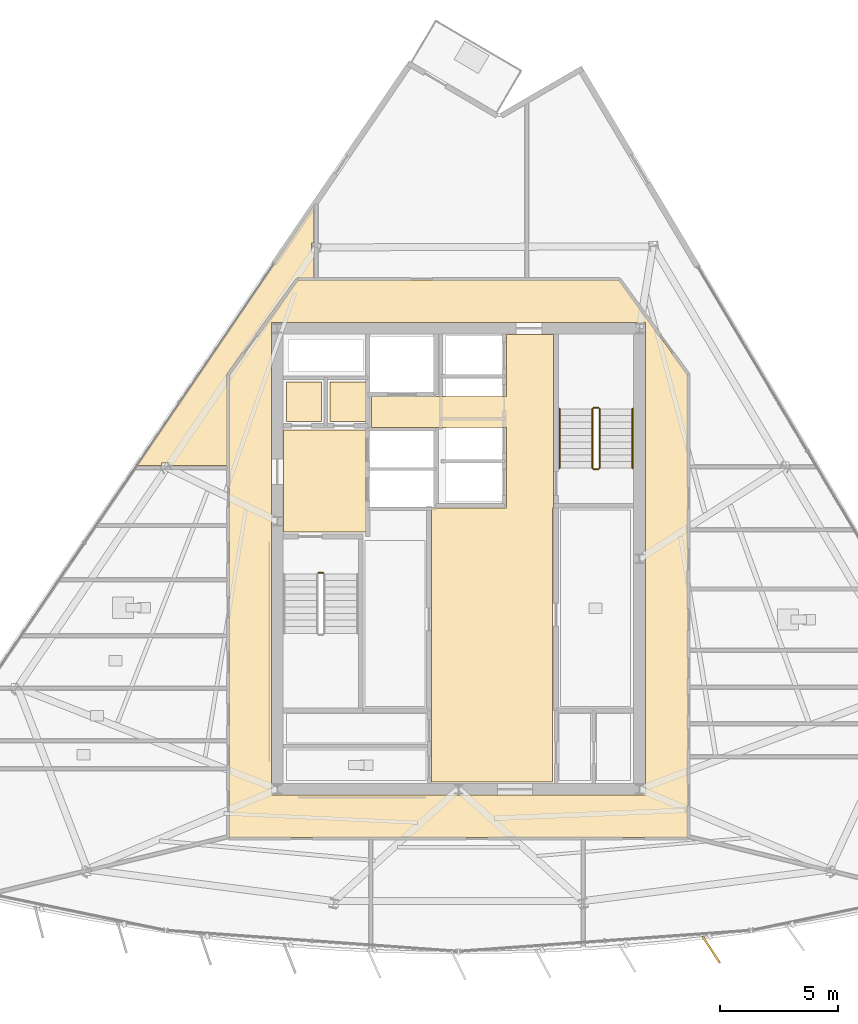
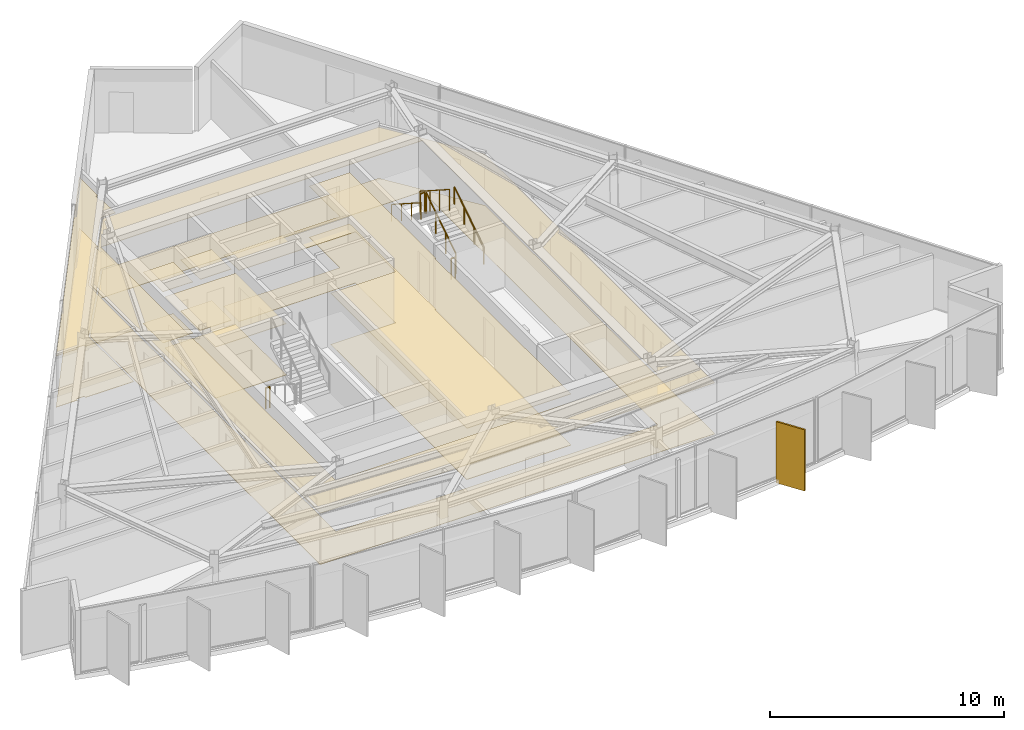
# One storey, part 11 of 13: 12 coverings, 7 railings, 1 shading device.
"""IFC4 building model written with IfcOpenShell, lengths in metres."""

from ifc_helpers import new_model, si_unit, direction, frame, origin, origin_2d, place, context, subcontext, project, spatial, polyline, rectangle, circle, outline, extrude, material, layer, layer_set, type_object, element, save


model = new_model("IFC4")

# Units and contexts
model_context = context("Model", 3, precision=1e-05, world=origin(), true_north=direction((0.0, 1.0)))
body_context = subcontext(model_context, "Body", "Model", "MODEL_VIEW")
ifc_project = project(units=[si_unit("LENGTHUNIT", "METRE"), si_unit("AREAUNIT", "SQUARE_METRE"), si_unit("VOLUMEUNIT", "CUBIC_METRE"), si_unit("PLANEANGLEUNIT", "RADIAN"), si_unit("MASSUNIT", "GRAM", prefix="KILO")], contexts=[model_context])

# Site, building, storey
site_placement = place(None, origin())
site = spatial("IfcSite", under=ifc_project, at=site_placement, CompositionType="ELEMENT")
building_placement = place(site_placement, origin())
building = spatial("IfcBuilding", under=site, at=building_placement, Name="Savorim Split Tower", CompositionType="ELEMENT")
storey_placement = place(building_placement, frame((0.0, 0.0, 254.39990234375)))
storey = spatial("IfcBuildingStorey", under=building, at=storey_placement, Name="L67", CompositionType="ELEMENT", Elevation=254.39990234375)

# Coverings
ifc_material_1 = material(Name="Mineral Fibre Acoustic Ceiling")
ifc_layer_1 = layer(ifc_material_1, 0.02490234375)
ifc_layer_set_1 = layer_set([ifc_layer_1], Name="COV-CEIL-25")
covering_type_1 = type_object("IfcCoveringType", Name="COV-CEIL-25", PredefinedType="CEILING", material=ifc_layer_set_1)
covering_1_placement = place(storey_placement, frame((0.0, 0.0, 2.670166015625)))
element("IfcCovering", 1, at=covering_1_placement, inside=storey, type_object=covering_type_1, Name="L67 Firefighting Lift Lobby Acoustic Ceiling", PredefinedType="CEILING", context=body_context, shape_type="SweptSolid", body=[
    extrude(outline(polyline([(-7.429931640625, 5.8701171875), (-7.429931640625, 1.530029296875), (-3.929931640625, 1.530029296875), (-3.929931640625, 5.8701171875), (-7.429931640625, 5.8701171875)])), origin(), (0.0, 0.0, 1.0), 0.02490234375),
])
covering_2_placement = place(storey_placement, frame((0.0, 0.0, 2.670166015625)))
element("IfcCovering", 2, at=covering_2_placement, inside=storey, type_object=covering_type_1, Name="L67 Electrical Riser Acoustic Ceiling", PredefinedType="CEILING", context=body_context, shape_type="SweptSolid", body=[
    extrude(outline(polyline([(-7.320068359375, 7.919921875), (-7.320068359375, 6.22998046875), (-5.830078125, 6.22998046875), (-5.830078125, 7.919921875), (-7.320068359375, 7.919921875)])), origin(), (0.0, 0.0, 1.0), 0.02490234375),
])
covering_3_placement = place(storey_placement, frame((0.0, 0.0, 2.670166015625)))
element("IfcCovering", 3, at=covering_3_placement, inside=storey, type_object=covering_type_1, Name="L67 Telecom Riser Acoustic Ceiling", PredefinedType="CEILING", context=body_context, shape_type="SweptSolid", body=[
    extrude(outline(polyline([(-5.469970703125, 7.919921875), (-5.469970703125, 6.22998046875), (-3.929931640625, 6.22998046875), (-3.929931640625, 7.919921875), (-5.469970703125, 7.919921875)])), origin(), (0.0, 0.0, 1.0), 0.02490234375),
])
covering_4_placement = place(storey_placement, frame((0.0, 0.0, 2.670166015625)))
element("IfcCovering", 4, at=covering_4_placement, inside=storey, type_object=covering_type_1, Name="L67 Lift Lobby Acoustic Ceiling", PredefinedType="CEILING", context=body_context, shape_type="SweptSolid", body=[
    extrude(outline(polyline([(2.050048828125, 2.550048828125), (-1.14990234375, 2.550048828125), (-1.14990234375, -9.10009765625), (4.0, -9.10009765625), (4.0, 2.550048828125), (4.050048828125, 2.550048828125), (4.050048828125, 5.97998046875), (4.050048828125, 7.300048828125), (4.050048828125, 9.929931640625), (2.050048828125, 9.929931640625), (2.050048828125, 7.300048828125), (-3.699951171875, 7.300048828125), (-3.699951171875, 5.97998046875), (2.050048828125, 5.97998046875), (2.050048828125, 2.550048828125)])), origin(), (0.0, 0.0, 1.0), 0.02490234375),
])
covering_5_placement = place(storey_placement, frame((0.0, 0.0, 2.670166015625)))
element("IfcCovering", 5, at=covering_5_placement, inside=storey, type_object=covering_type_1, Name="L67 Corridor Acoustic Ceiling", PredefinedType="CEILING", context=body_context, shape_type="SweptSolid", body=[
    extrude(outline(polyline([(6.809326171875, 12.2490234375), (6.8046875, 12.249755859375), (6.800048828125, 12.25), (-6.800048828125, 12.25), (-6.8046875, 12.249755859375), (-6.809326171875, 12.2490234375), (-6.81396484375, 12.248046875), (-6.818359375, 12.24658203125), (-6.82275390625, 12.244384765625), (-6.826904296875, 12.2421875), (-6.830810546875, 12.239501953125), (-6.834228515625, 12.236328125), (-6.83740234375, 12.23291015625), (-6.840576171875, 12.229248046875), (-9.740478515625, 8.229248046875), (-9.743408203125, 8.22509765625), (-9.74560546875, 8.22021484375), (-9.74755859375, 8.21533203125), (-9.748779296875, 8.21044921875), (-9.749755859375, 8.205078125), (-9.75, 8.199951171875), (-9.75, -11.39990234375), (-9.749755859375, -11.40478515625), (-9.7490234375, -11.409912109375), (-9.747802734375, -11.41455078125), (-9.74609375, -11.419189453125), (-9.744140625, -11.423583984375), (-9.74169921875, -11.427734375), (-9.73876953125, -11.431640625), (-9.7353515625, -11.435302734375), (-9.731689453125, -11.438720703125), (-9.727783203125, -11.441650390625), (-9.7236328125, -11.444091796875), (-9.718994140625, -11.4462890625), (-9.714599609375, -11.44775390625), (-9.709716796875, -11.448974609375), (-9.704833984375, -11.44970703125), (-9.699951171875, -11.449951171875), (9.699951171875, -11.449951171875), (9.704833984375, -11.44970703125), (9.709716796875, -11.448974609375), (9.714599609375, -11.44775390625), (9.718994140625, -11.4462890625), (9.7236328125, -11.444091796875), (9.727783203125, -11.441650390625), (9.731689453125, -11.438720703125), (9.7353515625, -11.435302734375), (9.73876953125, -11.431640625), (9.74169921875, -11.427734375), (9.744140625, -11.423583984375), (9.74609375, -11.419189453125), (9.747802734375, -11.41455078125), (9.7490234375, -11.409912109375), (9.749755859375, -11.40478515625), (9.75, -11.39990234375), (9.75, 8.199951171875), (9.749755859375, 8.205078125), (9.748779296875, 8.21044921875), (9.74755859375, 8.21533203125), (9.74560546875, 8.22021484375), (9.743408203125, 8.22509765625), (9.740478515625, 8.229248046875), (6.840576171875, 12.229248046875), (6.83740234375, 12.23291015625), (6.834228515625, 12.236328125), (6.830810546875, 12.239501953125), (6.826904296875, 12.2421875), (6.82275390625, 12.244384765625), (6.818359375, 12.24658203125), (6.81396484375, 12.248046875), (6.809326171875, 12.2490234375)]), holes=[polyline([(-7.949951171875, 10.449951171875), (-7.949951171875, -9.64990234375), (7.949951171875, -9.64990234375), (7.949951171875, 10.449951171875), (-7.949951171875, 10.449951171875)])]), origin(), (0.0, 0.0, 1.0), 0.02490234375),
])
covering_6_placement = place(storey_placement, frame((0.0, 0.0, 2.670166015625)))
element("IfcCovering", 6, at=covering_6_placement, inside=storey, type_object=covering_type_1, Name="L67 Co-Living Bedroom Acoustic Ceiling", PredefinedType="CEILING", context=body_context, shape_type="SweptSolid", body=[
    extrude(outline(polyline([(-6.813232421875, 12.33935546875), (-6.800048828125, 12.340087890625), (-6.137939453125, 12.340087890625), (-6.137939453125, 13.4423828125), (-6.239990234375, 13.4423828125), (-6.239990234375, 13.83447265625), (-6.137939453125, 13.83447265625), (-6.137939453125, 15.439208984375), (-13.673828125, 4.361328125), (-12.615478515625, 4.361328125), (-12.615478515625, 4.46240234375), (-12.221435546875, 4.46240234375), (-12.221435546875, 4.361328125), (-9.840087890625, 4.361328125), (-9.840087890625, 8.199951171875), (-9.839111328125, 8.214599609375), (-9.8369140625, 8.22900390625), (-9.833251953125, 8.2431640625), (-9.827880859375, 8.2568359375), (-9.8212890625, 8.27001953125), (-9.813232421875, 8.2822265625), (-6.913330078125, 12.2822265625), (-6.905029296875, 12.29248046875), (-6.89599609375, 12.302001953125), (-6.885986328125, 12.310546875), (-6.875, 12.318115234375), (-6.863525390625, 12.32470703125), (-6.8515625, 12.330078125), (-6.839111328125, 12.33447265625), (-6.826416015625, 12.33740234375), (-6.813232421875, 12.33935546875)])), origin(), (0.0, 0.0, 1.0), 0.02490234375),
])
ifc_material_2 = material(Name="Porcelain Stoneware Flooring", Category="masonry")
ifc_layer_2 = layer(ifc_material_2, 0.02001953125)
ifc_layer_set_2 = layer_set([ifc_layer_2], Name="COV-FLOR-20")
covering_type_2 = type_object("IfcCoveringType", Name="COV-FLOR-20", PredefinedType="FLOORING", material=ifc_layer_set_2)
covering_7_placement = place(storey_placement, origin())
element("IfcCovering", 7, at=covering_7_placement, inside=storey, type_object=covering_type_2, Name="L67 Firefighting Lift Lobby Porcelain Flooring", PredefinedType="FLOORING", context=body_context, shape_type="SweptSolid", body=[
    extrude(outline(polyline([(-7.429931640625, 5.8701171875), (-7.429931640625, 1.530029296875), (-3.929931640625, 1.530029296875), (-3.929931640625, 5.8701171875), (-7.429931640625, 5.8701171875)])), origin(), (0.0, 0.0, 1.0), 0.02001953125),
])
covering_8_placement = place(storey_placement, origin())
element("IfcCovering", 8, at=covering_8_placement, inside=storey, type_object=covering_type_2, Name="L67 Electrical Riser Porcelain Flooring", PredefinedType="FLOORING", context=body_context, shape_type="SweptSolid", body=[
    extrude(outline(polyline([(-7.320068359375, 7.919921875), (-7.320068359375, 6.22998046875), (-5.830078125, 6.22998046875), (-5.830078125, 7.919921875), (-7.320068359375, 7.919921875)])), origin(), (0.0, 0.0, 1.0), 0.02001953125),
])
covering_9_placement = place(storey_placement, origin())
element("IfcCovering", 9, at=covering_9_placement, inside=storey, type_object=covering_type_2, Name="L67 Telecom Riser Porcelain Flooring", PredefinedType="FLOORING", context=body_context, shape_type="SweptSolid", body=[
    extrude(outline(polyline([(-5.469970703125, 7.919921875), (-5.469970703125, 6.22998046875), (-3.929931640625, 6.22998046875), (-3.929931640625, 7.919921875), (-5.469970703125, 7.919921875)])), origin(), (0.0, 0.0, 1.0), 0.02001953125),
])
covering_10_placement = place(storey_placement, origin())
element("IfcCovering", 10, at=covering_10_placement, inside=storey, type_object=covering_type_2, Name="L67 Lift Lobby Porcelain Flooring", PredefinedType="FLOORING", context=body_context, shape_type="SweptSolid", body=[
    extrude(outline(polyline([(2.050048828125, 2.550048828125), (-1.14990234375, 2.550048828125), (-1.14990234375, -9.10009765625), (4.0, -9.10009765625), (4.0, 2.550048828125), (4.050048828125, 2.550048828125), (4.050048828125, 5.97998046875), (4.050048828125, 7.300048828125), (4.050048828125, 9.929931640625), (2.050048828125, 9.929931640625), (2.050048828125, 7.300048828125), (-3.699951171875, 7.300048828125), (-3.699951171875, 5.97998046875), (2.050048828125, 5.97998046875), (2.050048828125, 2.550048828125)])), origin(), (0.0, 0.0, 1.0), 0.02001953125),
])
covering_11_placement = place(storey_placement, origin())
element("IfcCovering", 11, at=covering_11_placement, inside=storey, type_object=covering_type_2, Name="L67 Corridor Porcelain Flooring", PredefinedType="FLOORING", context=body_context, shape_type="SweptSolid", body=[
    extrude(outline(polyline([(6.809326171875, 12.2490234375), (6.8046875, 12.249755859375), (6.800048828125, 12.25), (-6.800048828125, 12.25), (-6.8046875, 12.249755859375), (-6.809326171875, 12.2490234375), (-6.81396484375, 12.248046875), (-6.818359375, 12.24658203125), (-6.82275390625, 12.244384765625), (-6.826904296875, 12.2421875), (-6.830810546875, 12.239501953125), (-6.834228515625, 12.236328125), (-6.83740234375, 12.23291015625), (-6.840576171875, 12.229248046875), (-9.740478515625, 8.229248046875), (-9.743408203125, 8.22509765625), (-9.74560546875, 8.22021484375), (-9.74755859375, 8.21533203125), (-9.748779296875, 8.21044921875), (-9.749755859375, 8.205078125), (-9.75, 8.199951171875), (-9.75, -11.39990234375), (-9.749755859375, -11.40478515625), (-9.7490234375, -11.409912109375), (-9.747802734375, -11.41455078125), (-9.74609375, -11.419189453125), (-9.744140625, -11.423583984375), (-9.74169921875, -11.427734375), (-9.73876953125, -11.431640625), (-9.7353515625, -11.435302734375), (-9.731689453125, -11.438720703125), (-9.727783203125, -11.441650390625), (-9.7236328125, -11.444091796875), (-9.718994140625, -11.4462890625), (-9.714599609375, -11.44775390625), (-9.709716796875, -11.448974609375), (-9.704833984375, -11.44970703125), (-9.699951171875, -11.449951171875), (9.699951171875, -11.449951171875), (9.704833984375, -11.44970703125), (9.709716796875, -11.448974609375), (9.714599609375, -11.44775390625), (9.718994140625, -11.4462890625), (9.7236328125, -11.444091796875), (9.727783203125, -11.441650390625), (9.731689453125, -11.438720703125), (9.7353515625, -11.435302734375), (9.73876953125, -11.431640625), (9.74169921875, -11.427734375), (9.744140625, -11.423583984375), (9.74609375, -11.419189453125), (9.747802734375, -11.41455078125), (9.7490234375, -11.409912109375), (9.749755859375, -11.40478515625), (9.75, -11.39990234375), (9.75, 8.199951171875), (9.749755859375, 8.205078125), (9.748779296875, 8.21044921875), (9.74755859375, 8.21533203125), (9.74560546875, 8.22021484375), (9.743408203125, 8.22509765625), (9.740478515625, 8.229248046875), (6.840576171875, 12.229248046875), (6.83740234375, 12.23291015625), (6.834228515625, 12.236328125), (6.830810546875, 12.239501953125), (6.826904296875, 12.2421875), (6.82275390625, 12.244384765625), (6.818359375, 12.24658203125), (6.81396484375, 12.248046875), (6.809326171875, 12.2490234375)]), holes=[polyline([(-7.949951171875, 10.449951171875), (-7.949951171875, -9.64990234375), (7.949951171875, -9.64990234375), (7.949951171875, 10.449951171875), (-7.949951171875, 10.449951171875)])]), origin(), (0.0, 0.0, 1.0), 0.02001953125),
])
covering_12_placement = place(storey_placement, origin())
element("IfcCovering", 12, at=covering_12_placement, inside=storey, type_object=covering_type_2, Name="L67 Co-Living Bedroom Porcelain Flooring", PredefinedType="FLOORING", context=body_context, shape_type="SweptSolid", body=[
    extrude(outline(polyline([(-6.813232421875, 12.33935546875), (-6.800048828125, 12.340087890625), (-6.137939453125, 12.340087890625), (-6.137939453125, 13.4423828125), (-6.239990234375, 13.4423828125), (-6.239990234375, 13.83447265625), (-6.137939453125, 13.83447265625), (-6.137939453125, 15.439208984375), (-13.673828125, 4.361328125), (-12.615478515625, 4.361328125), (-12.615478515625, 4.46240234375), (-12.221435546875, 4.46240234375), (-12.221435546875, 4.361328125), (-9.840087890625, 4.361328125), (-9.840087890625, 8.199951171875), (-9.839111328125, 8.214599609375), (-9.8369140625, 8.22900390625), (-9.833251953125, 8.2431640625), (-9.827880859375, 8.2568359375), (-9.8212890625, 8.27001953125), (-9.813232421875, 8.2822265625), (-6.913330078125, 12.2822265625), (-6.905029296875, 12.29248046875), (-6.89599609375, 12.302001953125), (-6.885986328125, 12.310546875), (-6.875, 12.318115234375), (-6.863525390625, 12.32470703125), (-6.8515625, 12.330078125), (-6.839111328125, 12.33447265625), (-6.826416015625, 12.33740234375), (-6.813232421875, 12.33935546875)])), origin(), (0.0, 0.0, 1.0), 0.02001953125),
])

# Railings
ifc_material_3 = material(Name="Galvanised Painted Steel Balustrade", Category="steel")
railing_type_1 = type_object("IfcRailingType", Name="RLG-HR-900", PredefinedType="HANDRAIL", material=ifc_material_3)
railing_1_placement = place(storey_placement, frame((7.39990234375, 4.25, 0.18017578125)))
element("IfcRailing", 13, at=railing_1_placement, inside=storey, type_object=railing_type_1, Name="L67 ST-2 stair handrail 1", PredefinedType="HANDRAIL", context=body_context, shape_type="SweptSolid", body=[
    extrude(circle(Radius=0.02392578125, at=origin_2d()), frame((0.0, 0.0, 0.8759765625), z_axis=(0.0, 0.841199657755, 0.540724639528), x_axis=(-1.0, 0.0, 0.0)), (0.0, 0.0, 1.0), 2.995849609375),
    extrude(circle(Radius=0.02099609375, at=origin_2d()), origin(), (0.0, 0.0, 1.0), 0.851806640625),
    extrude(circle(Radius=0.02099609375, at=origin_2d()), frame((0.0, 0.840087890625, 0.5400390625)), (0.0, 0.0, 1.0), 0.851806640625),
    extrude(circle(Radius=0.02099609375, at=origin_2d()), frame((0.0, 1.679931640625, 1.079833984375)), (0.0, 0.0, 1.0), 0.851806640625),
    extrude(circle(Radius=0.02099609375, at=origin_2d()), frame((0.0, 2.52001953125, 1.619873046875)), (0.0, 0.0, 1.0), 0.851806640625),
])
railing_2_placement = place(storey_placement, frame((4.300048828125, 6.77001953125, 1.97998046875)))
element("IfcRailing", 14, at=railing_2_placement, inside=storey, type_object=railing_type_1, Name="L67 ST-2 stair handrail 2", PredefinedType="HANDRAIL", context=body_context, shape_type="SweptSolid", body=[
    extrude(circle(Radius=0.02392578125, at=origin_2d()), frame((0.0, 0.0, 0.8759765625), z_axis=(0.0, -0.841162588446, 0.540782303519), x_axis=(1.0, 0.0, 0.0)), (0.0, 0.0, 1.0), 2.995849609375),
    extrude(circle(Radius=0.02099609375, at=origin_2d()), origin(), (0.0, 0.0, 1.0), 0.851806640625),
    extrude(circle(Radius=0.02099609375, at=origin_2d()), frame((0.0, -0.840087890625, 0.5400390625)), (0.0, 0.0, 1.0), 0.851806640625),
    extrude(circle(Radius=0.02099609375, at=origin_2d()), frame((0.0, -1.679931640625, 1.080078125)), (0.0, 0.0, 1.0), 0.851806640625),
    extrude(circle(Radius=0.02099609375, at=origin_2d()), frame((0.0, -2.52001953125, 1.6201171875)), (0.0, 0.0, 1.0), 0.851806640625),
])
railing_type_2 = type_object("IfcRailingType", Name="RLG-STG-1100", PredefinedType="BALUSTRADE", material=ifc_material_3)
railing_3_placement = place(storey_placement, frame((-5.949951171875, -0.199951171875, 0.0)))
element("IfcRailing", 15, at=railing_3_placement, inside=storey, type_object=railing_type_2, Name="L67 ST-1 stair guard 4", PredefinedType="BALUSTRADE", context=body_context, shape_type="SweptSolid", body=[
    extrude(circle(Radius=0.02392578125, at=origin_2d()), frame((0.0, 0.0, 1.076171875), z_axis=(1.0, 0.0, 0.0), x_axis=(0.0, 1.0, 0.0)), (0.0, 0.0, 1.0), 0.199951171875),
    extrude(circle(Radius=0.02099609375, at=origin_2d()), origin(), (0.0, 0.0, 1.0), 1.052001953125),
    extrude(circle(Radius=0.02099609375, at=origin_2d()), frame((0.199951171875, 0.0, 0.0)), (0.0, 0.0, 1.0), 1.052001953125),
])
railing_4_placement = place(storey_placement, frame((6.0, 4.25, 0.18017578125)))
element("IfcRailing", 16, at=railing_4_placement, inside=storey, type_object=railing_type_2, Name="L67 ST-2 stair guard 1", PredefinedType="BALUSTRADE", context=body_context, shape_type="SweptSolid", body=[
    extrude(circle(Radius=0.02392578125, at=origin_2d()), frame((0.0, 0.0, 1.076171875), z_axis=(0.0, 0.841199657755, 0.540724639528), x_axis=(-1.0, 0.0, 0.0)), (0.0, 0.0, 1.0), 2.995849609375),
    extrude(circle(Radius=0.02099609375, at=origin_2d()), origin(), (0.0, 0.0, 1.0), 1.052001953125),
    extrude(circle(Radius=0.02099609375, at=origin_2d()), frame((0.0, 0.840087890625, 0.5400390625)), (0.0, 0.0, 1.0), 1.052001953125),
    extrude(circle(Radius=0.02099609375, at=origin_2d()), frame((0.0, 1.679931640625, 1.079833984375)), (0.0, 0.0, 1.0), 1.052001953125),
    extrude(circle(Radius=0.02099609375, at=origin_2d()), frame((0.0, 2.52001953125, 1.619873046875)), (0.0, 0.0, 1.0), 1.052001953125),
])
railing_5_placement = place(storey_placement, frame((5.949951171875, 6.820068359375, 1.800048828125)))
element("IfcRailing", 17, at=railing_5_placement, inside=storey, type_object=railing_type_2, Name="L67 ST-2 stair guard 2", PredefinedType="BALUSTRADE", context=body_context, shape_type="SweptSolid", body=[
    extrude(circle(Radius=0.02392578125, at=origin_2d()), frame((0.0, 0.0, 1.076171875), z_axis=(-1.0, 0.0, 0.0), x_axis=(0.0, -1.0, 0.0)), (0.0, 0.0, 1.0), 0.199951171875),
    extrude(circle(Radius=0.02099609375, at=origin_2d()), origin(), (0.0, 0.0, 1.0), 1.052001953125),
    extrude(circle(Radius=0.02099609375, at=origin_2d()), frame((-0.199951171875, 0.0, 0.0)), (0.0, 0.0, 1.0), 1.052001953125),
])
railing_6_placement = place(storey_placement, frame((5.699951171875, 6.77001953125, 1.97998046875)))
element("IfcRailing", 18, at=railing_6_placement, inside=storey, type_object=railing_type_2, Name="L67 ST-2 stair guard 3", PredefinedType="BALUSTRADE", context=body_context, shape_type="SweptSolid", body=[
    extrude(circle(Radius=0.02392578125, at=origin_2d()), frame((0.0, 0.0, 1.076171875), z_axis=(0.0, -0.841162588446, 0.540782303519), x_axis=(1.0, 0.0, 0.0)), (0.0, 0.0, 1.0), 2.995849609375),
    extrude(circle(Radius=0.02099609375, at=origin_2d()), origin(), (0.0, 0.0, 1.0), 1.052001953125),
    extrude(circle(Radius=0.02099609375, at=origin_2d()), frame((0.0, -0.840087890625, 0.5400390625)), (0.0, 0.0, 1.0), 1.052001953125),
    extrude(circle(Radius=0.02099609375, at=origin_2d()), frame((0.0, -1.679931640625, 1.080078125)), (0.0, 0.0, 1.0), 1.052001953125),
    extrude(circle(Radius=0.02099609375, at=origin_2d()), frame((0.0, -2.52001953125, 1.6201171875)), (0.0, 0.0, 1.0), 1.052001953125),
])
railing_7_placement = place(storey_placement, frame((5.949951171875, 4.199951171875, 0.0)))
element("IfcRailing", 19, at=railing_7_placement, inside=storey, type_object=railing_type_2, Name="L67 ST-2 stair guard 4", PredefinedType="BALUSTRADE", context=body_context, shape_type="SweptSolid", body=[
    extrude(circle(Radius=0.02392578125, at=origin_2d()), frame((0.0, 0.0, 1.076171875), z_axis=(-1.0, 0.0, 0.0), x_axis=(0.0, -1.0, 0.0)), (0.0, 0.0, 1.0), 0.199951171875),
    extrude(circle(Radius=0.02099609375, at=origin_2d()), origin(), (0.0, 0.0, 1.0), 1.052001953125),
    extrude(circle(Radius=0.02099609375, at=origin_2d()), frame((-0.199951171875, 0.0, 0.0)), (0.0, 0.0, 1.0), 1.052001953125),
])

# Shading device
ifc_material_4 = material(Name="Terracotta Ceramic-Coated Aluminium Fin", Category="masonry")
shading_device_type = type_object("IfcShadingDeviceType", Name="SHD-FIN-1360", PredefinedType="USERDEFINED", material=ifc_material_4)
shading_device_placement = place(storey_placement, frame((10.748291015625, -16.218505859375, -0.19970703125), z_axis=(0.0, 0.0, 1.0), x_axis=(0.545148321708, -0.838339613366, 0.0)))
element("IfcShadingDevice", 20, at=shading_device_placement, inside=storey, type_object=shading_device_type, Name="L67 Sawtooth Shading Fin 10", ObjectType="FIN", PredefinedType="USERDEFINED", context=body_context, shape_type="SweptSolid", body=[
    extrude(rectangle(XDim=1.360107421875, YDim=0.080078125, at=origin_2d()), origin(), (0.0, 0.0, 1.0), 3.199951171875),
])

save(model, "model.ifc")
